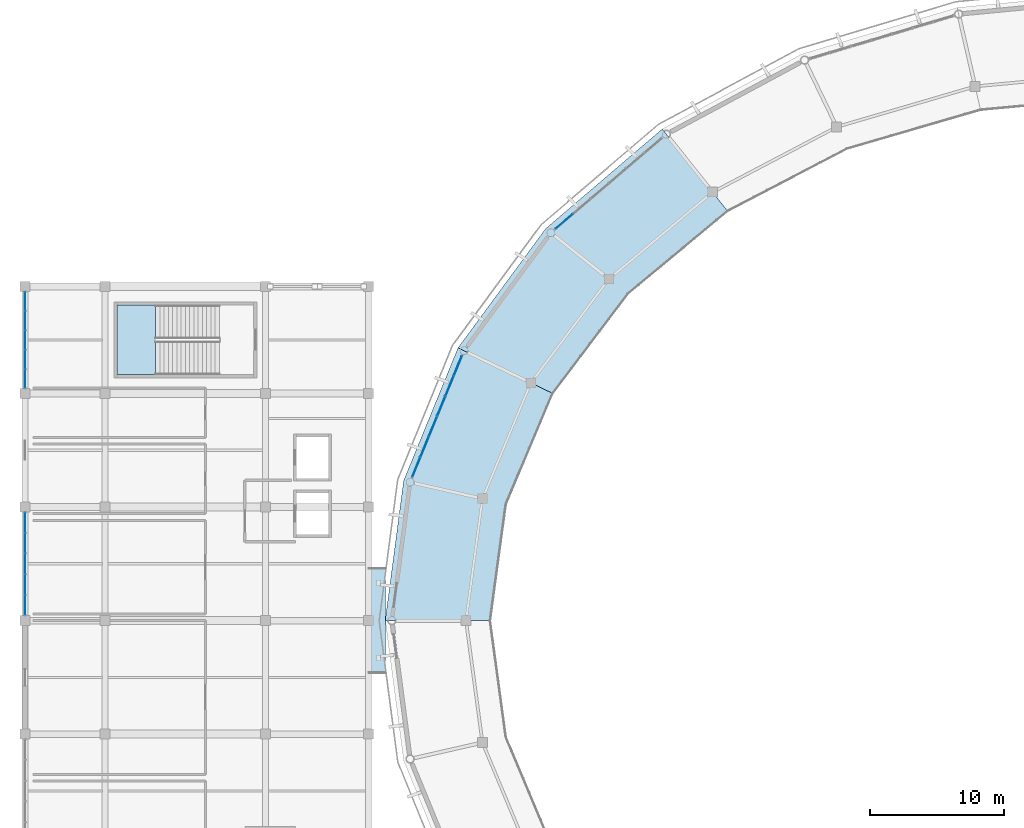
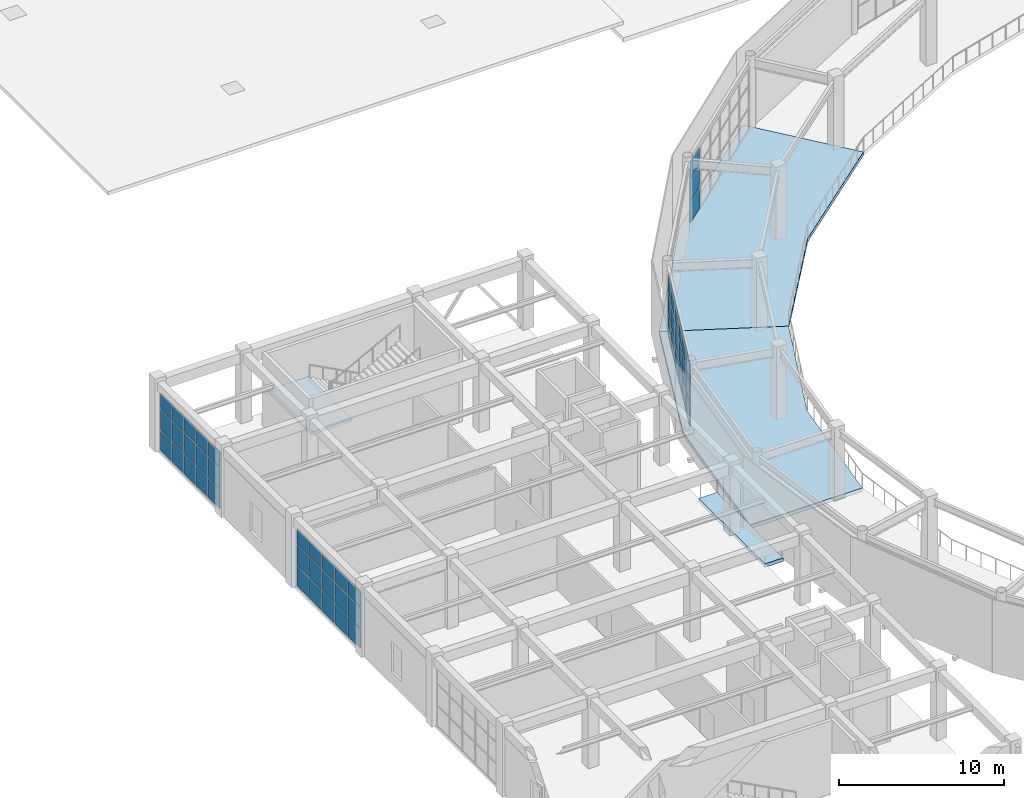
# One storey, part 43 of 70: 51 plates, 4 slabs, 5 elements without a shape of their own.
"""IFC4 building model written with IfcOpenShell, lengths in metres."""

import ifcopenshell
import ifcopenshell.guid

model = None  # the IFC model being written
_history = None  # IfcOwnerHistory: only IFC2X3 demands one
_inside = {}  # id of a spatial element -> (the spatial element, [elements in it])
_under = {}  # id of a project, library or spatial element -> (it, [spatial elements below it])
_declared = {}  # id of a project -> (the project, [libraries it declares])
_typed = {}  # id of a type object -> (the type object, [elements of that type])
_made_of = {}  # id of a material, layer set ... -> (it, [elements and type objects made of it])


def new_model(schema):
    """Start an empty IFC model of exactly this schema.

    Asked for "IFC4X3", IfcOpenShell would pick the latest addendum, in which some entities
    have other attributes; the version numbers below select the first issue.
    IFC2X3 requires an IfcOwnerHistory on every rooted entity: one is made here for all.
    """
    global model, _history
    if schema == "IFC4X3":
        model = ifcopenshell.file(schema_version=(4, 3, 0, 0))
    else:
        model = ifcopenshell.file(schema=schema)
    _inside.clear()
    _under.clear()
    _declared.clear()
    _typed.clear()
    _made_of.clear()
    _history = None
    if model.schema == "IFC2X3":
        org = make("IfcOrganization", Name="unknown")
        user = make(
            "IfcPersonAndOrganization",
            ThePerson=make("IfcPerson", FamilyName="unknown"),
            TheOrganization=org,
        )
        app = make(
            "IfcApplication",
            ApplicationDeveloper=org,
            Version="unknown",
            ApplicationFullName="unknown",
            ApplicationIdentifier="unknown",
        )
        _history = make(
            "IfcOwnerHistory",
            OwningUser=user,
            OwningApplication=app,
            ChangeAction="ADDED",
            CreationDate=0,
        )
    return model


def make(cls, **values):
    """One entity of the class cls with the attributes given. An attribute that is None is left unset."""
    return model.create_entity(
        cls, **{name: value for name, value in values.items() if value is not None}
    )


def rooted(cls, **values):
    """An entity with a GlobalId (a new one), such as an element, a storey or a relation."""
    return make(cls, GlobalId=ifcopenshell.guid.new(), OwnerHistory=_history, **values)


def si_unit(unit_type, name, prefix=None):
    """IfcSIUnit, for example si_unit("LENGTHUNIT", "METRE", prefix="MILLI")."""
    return make("IfcSIUnit", UnitType=unit_type, Prefix=prefix, Name=name)


def assignment(units):
    """IfcUnitAssignment: the units of a project."""
    return None if units is None else make("IfcUnitAssignment", Units=units)


def point(xyz):
    """IfcCartesianPoint."""
    return None if xyz is None else make("IfcCartesianPoint", Coordinates=xyz)


def direction(xyz):
    """IfcDirection."""
    return None if xyz is None else make("IfcDirection", DirectionRatios=xyz)


def frame(location, z_axis=None, x_axis=None):
    """IfcAxis2Placement3D, a coordinate frame: its origin and axes. An axis left out is left unset."""
    return make(
        "IfcAxis2Placement3D",
        Location=point(location),
        Axis=direction(z_axis),
        RefDirection=direction(x_axis),
    )


def frame_2d(location, x_axis=None):
    """IfcAxis2Placement2D, a coordinate frame in the plane: its origin and x axis."""
    return make(
        "IfcAxis2Placement2D", Location=point(location), RefDirection=direction(x_axis)
    )


def origin():
    """The frame at (0, 0, 0) with its axes left unset."""
    return frame((0.0, 0.0, 0.0))


def origin_2d():
    """The frame at (0, 0) in the plane with its x axis left unset."""
    return frame_2d((0.0, 0.0))


def place(relative_to, where):
    """IfcLocalPlacement: puts the frame where relative to a parent placement (None: the world)."""
    return make(
        "IfcLocalPlacement", PlacementRelTo=relative_to, RelativePlacement=where
    )


def context(
    kind, dimensions, precision=None, world=None, true_north=None, identifier=None
):
    """IfcGeometricRepresentationContext, for example the 3D "Model" context."""
    return make(
        "IfcGeometricRepresentationContext",
        ContextIdentifier=identifier,
        ContextType=kind,
        CoordinateSpaceDimension=dimensions,
        Precision=precision,
        WorldCoordinateSystem=world,
        TrueNorth=true_north,
    )


def subcontext(parent, identifier, kind, view, scale=None):
    """IfcGeometricRepresentationSubContext, for example "Body" below "Model"."""
    return make(
        "IfcGeometricRepresentationSubContext",
        ContextIdentifier=identifier,
        ContextType=kind,
        ParentContext=parent,
        TargetScale=scale,
        TargetView=view,
    )


def project(units=None, contexts=None):
    """IfcProject with its units and contexts."""
    return rooted(
        "IfcProject",
        Name="project",
        RepresentationContexts=contexts,
        UnitsInContext=assignment(units),
    )


def spatial(cls, under=None, at=None, **own):
    """A site, building, storey or space (cls), placed at a placement, below another one or the project."""
    s = rooted(cls, ObjectPlacement=at, **own)
    if under is not None:
        _under.setdefault(under.id(), (under, []))[1].append(s)
    return s


def polyline(points):
    """IfcPolyline through the points."""
    return make("IfcPolyline", Points=[point(p) for p in points])


def profile(cls, at=None, kind="AREA", **sizes):
    """A parametric profile (cls). Its sizes go by their IFC names, for example OverallWidth=200.0."""
    return make(cls, ProfileType=kind, Position=at, **sizes)


def rectangle(**sizes):
    """IfcRectangleProfileDef."""
    return profile("IfcRectangleProfileDef", **sizes)


def outline(outer, holes=None, kind="AREA"):
    """IfcArbitraryClosedProfileDef: a profile drawn as a closed curve; with holes, ...WithVoids."""
    if holes is None:
        return make("IfcArbitraryClosedProfileDef", ProfileType=kind, OuterCurve=outer)
    return make(
        "IfcArbitraryProfileDefWithVoids",
        ProfileType=kind,
        OuterCurve=outer,
        InnerCurves=holes,
    )


def extrude(swept, where, along, depth):
    """IfcExtrudedAreaSolid: the profile swept, set in the frame where, extruded along a direction by depth."""
    return make(
        "IfcExtrudedAreaSolid",
        SweptArea=swept,
        Position=where,
        ExtrudedDirection=direction(along),
        Depth=depth,
    )


def shape(context_of_items, identifier, shape_type, items):
    """IfcShapeRepresentation: the items that make up one representation, for example the "Body"."""
    return make(
        "IfcShapeRepresentation",
        ContextOfItems=context_of_items,
        RepresentationIdentifier=identifier,
        RepresentationType=shape_type,
        Items=items,
    )


def material(Name=None, Category=None):
    """IfcMaterial."""
    return make("IfcMaterial", Name=Name, Category=Category)


def layer(
    of_material, thickness, ventilated=None, Name=None, Category=None, Priority=None
):
    """IfcMaterialLayer: one layer of a wall or slab, of a material (None: an air gap)."""
    return make(
        "IfcMaterialLayer",
        Material=of_material,
        LayerThickness=thickness,
        IsVentilated=ventilated,
        Name=Name,
        Category=Category,
        Priority=Priority,
    )


def layer_set(layers, Name=None):
    """IfcMaterialLayerSet."""
    return make("IfcMaterialLayerSet", MaterialLayers=layers, LayerSetName=Name)


def made_of(thing, what):
    """Note that an element or type object is made of a material, layer set ...; save() writes the relation."""
    if what is not None:
        _made_of.setdefault(what.id(), (what, []))[1].append(thing)
    return thing


def type_object(cls, material=None, **own):
    """A type object (cls), such as IfcWallType, which elements share."""
    return made_of(rooted(cls, **own), material)


def element(
    cls,
    number,
    at=None,
    inside=None,
    cuts=None,
    type_object=None,
    material=None,
    context=None,
    identifier="Body",
    shape_type=None,
    held_by="IfcProductDefinitionShape",
    body=None,
    shapes=None,
    **own,
):
    """One element of the class cls, such as IfcWall. Its Tag is "e" and its number.

    at: its placement. inside: the storey or other place that contains it. cuts: it is an
    opening in that element (IfcRelVoidsElement). A single representation is given by context,
    identifier, shape_type and body (its items); several are given by shapes. held_by: the class
    of the entity that holds the representations. save() writes the other relations.
    """
    e = rooted(cls, Tag="e%d" % number, ObjectPlacement=at, **own)
    if body is not None:
        shapes = [shape(context, identifier, shape_type, body)]
    if shapes is not None:
        e.Representation = make(held_by, Representations=shapes)
    if inside is not None:
        _inside.setdefault(inside.id(), (inside, []))[1].append(e)
    if cuts is not None:
        rooted(
            "IfcRelVoidsElement", RelatingBuildingElement=cuts, RelatedOpeningElement=e
        )
    if type_object is not None:
        _typed.setdefault(type_object.id(), (type_object, []))[1].append(e)
    return made_of(e, material)


def aggregate(whole, parts):
    """IfcRelAggregates: a whole, such as a stair, and the parts it consists of."""
    return rooted("IfcRelAggregates", RelatingObject=whole, RelatedObjects=parts)


def save(model, path):
    """Write the relations noted so far, then the file.

    IfcRelAggregates (storeys below a building ...), IfcRelContainedInSpatialStructure (elements
    in a storey), IfcRelDefinesByType, IfcRelAssociatesMaterial and IfcRelDeclares: one each for
    every whole, place, type object, material and project.
    """
    for whole, parts in _under.values():
        aggregate(whole, parts)
    for where, things in _inside.values():
        rooted(
            "IfcRelContainedInSpatialStructure",
            RelatedElements=things,
            RelatingStructure=where,
        )
    for kind, things in _typed.values():
        rooted("IfcRelDefinesByType", RelatedObjects=things, RelatingType=kind)
    for what, things in _made_of.values():
        rooted("IfcRelAssociatesMaterial", RelatedObjects=things, RelatingMaterial=what)
    for by, libraries in _declared.values():
        rooted("IfcRelDeclares", RelatingContext=by, RelatedDefinitions=libraries)
    model.write(path)


model = new_model("IFC4")

# Units and contexts
model_context = context("Model", 3, precision=1e-05, world=origin(), true_north=direction((0.0, 1.0)))
body_context = subcontext(model_context, "Body", "Model", "MODEL_VIEW")
ifc_project = project(units=[si_unit("LENGTHUNIT", "METRE"), si_unit("AREAUNIT", "SQUARE_METRE"), si_unit("VOLUMEUNIT", "CUBIC_METRE"), si_unit("PLANEANGLEUNIT", "RADIAN"), si_unit("MASSUNIT", "GRAM", prefix="KILO")], contexts=[model_context])

# Site, building, storey
site_placement = place(None, origin())
site = spatial("IfcSite", under=ifc_project, at=site_placement, CompositionType="ELEMENT")
building_placement = place(site_placement, origin())
building = spatial("IfcBuilding", under=site, at=building_placement, Name="Cuetzalor Civic Arena", CompositionType="ELEMENT")
storey_placement = place(building_placement, frame((0.0, 0.0, 21.0)))
storey = spatial("IfcBuildingStorey", under=building, at=storey_placement, Name="L04", CompositionType="ELEMENT", Elevation=21.0)

# Curtain wall, plates
ifc_material_1 = material(Name="Anodised dark bronze aluminium and low-E solar glass", Category="aluminium")
curtain_wall_type_1 = type_object("IfcCurtainWallType", Name="UnitisedCW_10550x4650", PredefinedType="USERDEFINED", material=ifc_material_1)
curtain_wall_1_placement = place(storey_placement, origin())
curtain_wall_1 = element("IfcCurtainWall", 1, at=curtain_wall_1_placement, inside=storey, type_object=curtain_wall_type_1, Name="Drum Triangle Foyer Curtain Wall L04-061", ObjectType="UNITISED CURTAIN WALL", PredefinedType="USERDEFINED")
ifc_material_2 = material(Name="Acoustic laminated solar control glass", Category="glass")
ifc_layer_1 = layer(ifc_material_2, 0.0439453125)
ifc_layer_set_1 = layer_set([ifc_layer_1], Name="Acoustic laminated solar control glass")
plate_type = type_object("IfcPlateType", Name="AcousticTripleGlazedPanel_44", PredefinedType="CURTAIN_PANEL", material=ifc_layer_set_1)
plate_1_placement = place(storey_placement, frame((-41.654541015625, 29.871826171875, 0.06982421875), z_axis=(0.0, 0.0, 1.0), x_axis=(0.760677142663, 0.64913040649, 0.0)))
plate_1 = element("IfcPlate", 2, at=plate_1_placement, type_object=plate_type, Name="CW-10 panel 1.1", PredefinedType="CURTAIN_PANEL", context=body_context, shape_type="SweptSolid", body=[
    extrude(rectangle(XDim=1.650146484375, YDim=0.0439453125, at=origin_2d()), origin(), (0.0, 0.0, 1.0), 1.570068359375),
])
plate_2_placement = place(storey_placement, frame((-41.654541015625, 29.871826171875, 1.7099609375), z_axis=(0.0, 0.0, 1.0), x_axis=(0.760677142663, 0.64913040649, 0.0)))
plate_2 = element("IfcPlate", 3, at=plate_2_placement, type_object=plate_type, Name="CW-10 panel 1.2", PredefinedType="CURTAIN_PANEL", context=body_context, shape_type="SweptSolid", body=[
    extrude(rectangle(XDim=1.650146484375, YDim=0.0439453125, at=origin_2d()), origin(), (0.0, 0.0, 1.0), 1.60498046875),
])
plate_3_placement = place(storey_placement, frame((-41.654541015625, 29.871826171875, 3.384765625), z_axis=(0.0, 0.0, 1.0), x_axis=(0.760677142663, 0.64913040649, 0.0)))
plate_3 = element("IfcPlate", 4, at=plate_3_placement, type_object=plate_type, Name="CW-10 panel 1.3", PredefinedType="CURTAIN_PANEL", context=body_context, shape_type="SweptSolid", body=[
    extrude(rectangle(XDim=1.650146484375, YDim=0.0439453125, at=origin_2d()), origin(), (0.0, 0.0, 1.0), 1.197998046875),
])
aggregate(curtain_wall_1, [plate_1, plate_2, plate_3])

ifc_material_3 = material(Name="Anodised dark bronze aluminium and low-E solar glass", Category="aluminium")
curtain_wall_type_2 = type_object("IfcCurtainWallType", Name="UnitisedCW_9850x4650", PredefinedType="USERDEFINED", material=ifc_material_3)
curtain_wall_2_placement = place(storey_placement, origin())
curtain_wall_2 = element("IfcCurtainWall", 5, at=curtain_wall_2_placement, inside=storey, type_object=curtain_wall_type_2, Name="Drum Triangle Foyer Curtain Wall L04-062", ObjectType="UNITISED CURTAIN WALL", PredefinedType="USERDEFINED")
plate_4_placement = place(storey_placement, frame((-52.719482421875, 11.4873046875, 0.06982421875), z_axis=(0.0, 0.0, 1.0), x_axis=(0.379391428583, 0.925236263836, 0.0)))
plate_4 = element("IfcPlate", 6, at=plate_4_placement, type_object=plate_type, Name="CW-11 panel 1.1", PredefinedType="CURTAIN_PANEL", context=body_context, shape_type="SweptSolid", body=[
    extrude(rectangle(XDim=1.540771484375, YDim=0.0439453125, at=origin_2d()), origin(), (0.0, 0.0, 1.0), 1.570068359375),
])
plate_5_placement = place(storey_placement, frame((-52.719482421875, 11.4873046875, 1.7099609375), z_axis=(0.0, 0.0, 1.0), x_axis=(0.379391428583, 0.925236263836, 0.0)))
plate_5 = element("IfcPlate", 7, at=plate_5_placement, type_object=plate_type, Name="CW-11 panel 1.2", PredefinedType="CURTAIN_PANEL", context=body_context, shape_type="SweptSolid", body=[
    extrude(rectangle(XDim=1.540771484375, YDim=0.0439453125, at=origin_2d()), origin(), (0.0, 0.0, 1.0), 1.60498046875),
])
plate_6_placement = place(storey_placement, frame((-52.719482421875, 11.4873046875, 3.384765625), z_axis=(0.0, 0.0, 1.0), x_axis=(0.379391428583, 0.925236263836, 0.0)))
plate_6 = element("IfcPlate", 8, at=plate_6_placement, type_object=plate_type, Name="CW-11 panel 1.3", PredefinedType="CURTAIN_PANEL", context=body_context, shape_type="SweptSolid", body=[
    extrude(rectangle(XDim=1.540771484375, YDim=0.0439453125, at=origin_2d()), origin(), (0.0, 0.0, 1.0), 1.197998046875),
])
plate_7_placement = place(storey_placement, frame((-52.1015625, 12.993896484375, 0.06982421875), z_axis=(0.0, 0.0, 1.0), x_axis=(0.379391428583, 0.925236263836, 0.0)))
plate_7 = element("IfcPlate", 9, at=plate_7_placement, type_object=plate_type, Name="CW-11 panel 2.1", PredefinedType="CURTAIN_PANEL", context=body_context, shape_type="SweptSolid", body=[
    extrude(rectangle(XDim=1.57568359375, YDim=0.0439453125, at=origin_2d()), origin(), (0.0, 0.0, 1.0), 1.570068359375),
])
plate_8_placement = place(storey_placement, frame((-52.1015625, 12.993896484375, 1.7099609375), z_axis=(0.0, 0.0, 1.0), x_axis=(0.379391428583, 0.925236263836, 0.0)))
plate_8 = element("IfcPlate", 10, at=plate_8_placement, type_object=plate_type, Name="CW-11 panel 2.2", PredefinedType="CURTAIN_PANEL", context=body_context, shape_type="SweptSolid", body=[
    extrude(rectangle(XDim=1.57568359375, YDim=0.0439453125, at=origin_2d()), origin(), (0.0, 0.0, 1.0), 1.60498046875),
])
plate_9_placement = place(storey_placement, frame((-52.1015625, 12.993896484375, 3.384765625), z_axis=(0.0, 0.0, 1.0), x_axis=(0.379391428583, 0.925236263836, 0.0)))
plate_9 = element("IfcPlate", 11, at=plate_9_placement, type_object=plate_type, Name="CW-11 panel 2.3", PredefinedType="CURTAIN_PANEL", context=body_context, shape_type="SweptSolid", body=[
    extrude(rectangle(XDim=1.57568359375, YDim=0.0439453125, at=origin_2d()), origin(), (0.0, 0.0, 1.0), 1.197998046875),
])
plate_10_placement = place(storey_placement, frame((-51.477294921875, 14.516357421875, 0.06982421875), z_axis=(0.0, 0.0, 1.0), x_axis=(0.379391428583, 0.925236263836, 0.0)))
plate_10 = element("IfcPlate", 12, at=plate_10_placement, type_object=plate_type, Name="CW-11 panel 3.1", PredefinedType="CURTAIN_PANEL", context=body_context, shape_type="SweptSolid", body=[
    extrude(rectangle(XDim=1.57568359375, YDim=0.0439453125, at=origin_2d()), origin(), (0.0, 0.0, 1.0), 1.570068359375),
])
plate_11_placement = place(storey_placement, frame((-51.477294921875, 14.516357421875, 1.7099609375), z_axis=(0.0, 0.0, 1.0), x_axis=(0.379391428583, 0.925236263836, 0.0)))
plate_11 = element("IfcPlate", 13, at=plate_11_placement, type_object=plate_type, Name="CW-11 panel 3.2", PredefinedType="CURTAIN_PANEL", context=body_context, shape_type="SweptSolid", body=[
    extrude(rectangle(XDim=1.57568359375, YDim=0.0439453125, at=origin_2d()), origin(), (0.0, 0.0, 1.0), 1.60498046875),
])
plate_12_placement = place(storey_placement, frame((-51.477294921875, 14.516357421875, 3.384765625), z_axis=(0.0, 0.0, 1.0), x_axis=(0.379391428583, 0.925236263836, 0.0)))
plate_12 = element("IfcPlate", 14, at=plate_12_placement, type_object=plate_type, Name="CW-11 panel 3.3", PredefinedType="CURTAIN_PANEL", context=body_context, shape_type="SweptSolid", body=[
    extrude(rectangle(XDim=1.57568359375, YDim=0.0439453125, at=origin_2d()), origin(), (0.0, 0.0, 1.0), 1.197998046875),
])
plate_13_placement = place(storey_placement, frame((-50.85302734375, 16.0390625, 0.06982421875), z_axis=(0.0, 0.0, 1.0), x_axis=(0.379391428583, 0.925236263836, 0.0)))
plate_13 = element("IfcPlate", 15, at=plate_13_placement, type_object=plate_type, Name="CW-11 panel 4.1", PredefinedType="CURTAIN_PANEL", context=body_context, shape_type="SweptSolid", body=[
    extrude(rectangle(XDim=1.57568359375, YDim=0.0439453125, at=origin_2d()), origin(), (0.0, 0.0, 1.0), 1.570068359375),
])
plate_14_placement = place(storey_placement, frame((-50.85302734375, 16.0390625, 1.7099609375), z_axis=(0.0, 0.0, 1.0), x_axis=(0.379391428583, 0.925236263836, 0.0)))
plate_14 = element("IfcPlate", 16, at=plate_14_placement, type_object=plate_type, Name="CW-11 panel 4.2", PredefinedType="CURTAIN_PANEL", context=body_context, shape_type="SweptSolid", body=[
    extrude(rectangle(XDim=1.57568359375, YDim=0.0439453125, at=origin_2d()), origin(), (0.0, 0.0, 1.0), 1.60498046875),
])
plate_15_placement = place(storey_placement, frame((-50.85302734375, 16.0390625, 3.384765625), z_axis=(0.0, 0.0, 1.0), x_axis=(0.379391428583, 0.925236263836, 0.0)))
plate_15 = element("IfcPlate", 17, at=plate_15_placement, type_object=plate_type, Name="CW-11 panel 4.3", PredefinedType="CURTAIN_PANEL", context=body_context, shape_type="SweptSolid", body=[
    extrude(rectangle(XDim=1.57568359375, YDim=0.0439453125, at=origin_2d()), origin(), (0.0, 0.0, 1.0), 1.197998046875),
])
plate_16_placement = place(storey_placement, frame((-50.228515625, 17.561767578125, 0.06982421875), z_axis=(0.0, 0.0, 1.0), x_axis=(0.379391428583, 0.925236263836, 0.0)))
plate_16 = element("IfcPlate", 18, at=plate_16_placement, type_object=plate_type, Name="CW-11 panel 5.1", PredefinedType="CURTAIN_PANEL", context=body_context, shape_type="SweptSolid", body=[
    extrude(rectangle(XDim=1.57568359375, YDim=0.0439453125, at=origin_2d()), origin(), (0.0, 0.0, 1.0), 1.570068359375),
])
plate_17_placement = place(storey_placement, frame((-50.228515625, 17.561767578125, 1.7099609375), z_axis=(0.0, 0.0, 1.0), x_axis=(0.379391428583, 0.925236263836, 0.0)))
plate_17 = element("IfcPlate", 19, at=plate_17_placement, type_object=plate_type, Name="CW-11 panel 5.2", PredefinedType="CURTAIN_PANEL", context=body_context, shape_type="SweptSolid", body=[
    extrude(rectangle(XDim=1.57568359375, YDim=0.0439453125, at=origin_2d()), origin(), (0.0, 0.0, 1.0), 1.60498046875),
])
plate_18_placement = place(storey_placement, frame((-50.228515625, 17.561767578125, 3.384765625), z_axis=(0.0, 0.0, 1.0), x_axis=(0.379391428583, 0.925236263836, 0.0)))
plate_18 = element("IfcPlate", 20, at=plate_18_placement, type_object=plate_type, Name="CW-11 panel 5.3", PredefinedType="CURTAIN_PANEL", context=body_context, shape_type="SweptSolid", body=[
    extrude(rectangle(XDim=1.57568359375, YDim=0.0439453125, at=origin_2d()), origin(), (0.0, 0.0, 1.0), 1.197998046875),
])
plate_19_placement = place(storey_placement, frame((-49.61083984375, 19.068359375, 0.06982421875), z_axis=(0.0, 0.0, 1.0), x_axis=(0.379391428583, 0.925236263836, 0.0)))
plate_19 = element("IfcPlate", 21, at=plate_19_placement, type_object=plate_type, Name="CW-11 panel 6.1", PredefinedType="CURTAIN_PANEL", context=body_context, shape_type="SweptSolid", body=[
    extrude(rectangle(XDim=1.540771484375, YDim=0.0439453125, at=origin_2d()), origin(), (0.0, 0.0, 1.0), 1.570068359375),
])
plate_20_placement = place(storey_placement, frame((-49.61083984375, 19.068359375, 1.7099609375), z_axis=(0.0, 0.0, 1.0), x_axis=(0.379391428583, 0.925236263836, 0.0)))
plate_20 = element("IfcPlate", 22, at=plate_20_placement, type_object=plate_type, Name="CW-11 panel 6.2", PredefinedType="CURTAIN_PANEL", context=body_context, shape_type="SweptSolid", body=[
    extrude(rectangle(XDim=1.540771484375, YDim=0.0439453125, at=origin_2d()), origin(), (0.0, 0.0, 1.0), 1.60498046875),
])
plate_21_placement = place(storey_placement, frame((-49.61083984375, 19.068359375, 3.384765625), z_axis=(0.0, 0.0, 1.0), x_axis=(0.379391428583, 0.925236263836, 0.0)))
plate_21 = element("IfcPlate", 23, at=plate_21_placement, type_object=plate_type, Name="CW-11 panel 6.3", PredefinedType="CURTAIN_PANEL", context=body_context, shape_type="SweptSolid", body=[
    extrude(rectangle(XDim=1.540771484375, YDim=0.0439453125, at=origin_2d()), origin(), (0.0, 0.0, 1.0), 1.197998046875),
])
aggregate(curtain_wall_2, [plate_4, plate_5, plate_6, plate_7, plate_8, plate_9, plate_10, plate_11, plate_12, plate_13, plate_14, plate_15, plate_16, plate_17, plate_18, plate_19, plate_20, plate_21])

ifc_material_4 = material(Name="Anodised dark bronze aluminium and low-E solar glass", Category="aluminium")
curtain_wall_type_3 = type_object("IfcCurtainWallType", Name="UnitisedCW_7800x4350", PredefinedType="USERDEFINED", material=ifc_material_4)
curtain_wall_3_placement = place(storey_placement, origin())
curtain_wall_3 = element("IfcCurtainWall", 24, at=curtain_wall_3_placement, inside=storey, type_object=curtain_wall_type_3, Name="V4W Suite Viewing Curtain Wall L04-125", ObjectType="UNITISED CURTAIN WALL", PredefinedType="USERDEFINED")
plate_22_placement = place(storey_placement, frame((-82.0, 1.15185546875, 0.06494140625), z_axis=(0.0, 0.0, 1.0), x_axis=(0.0, 1.0, 0.0)))
plate_22 = element("IfcPlate", 25, at=plate_22_placement, type_object=plate_type, Name="CW-47 panel 1.1", PredefinedType="CURTAIN_PANEL", context=body_context, shape_type="SweptSolid", body=[
    extrude(rectangle(XDim=1.459716796875, YDim=0.0439453125, at=origin_2d()), origin(), (0.0, 0.0, 1.0), 1.472412109375),
])
plate_23_placement = place(storey_placement, frame((-82.0, 1.15185546875, 1.6025390625), z_axis=(0.0, 0.0, 1.0), x_axis=(0.0, 1.0, 0.0)))
plate_23 = element("IfcPlate", 26, at=plate_23_placement, type_object=plate_type, Name="CW-47 panel 1.2", PredefinedType="CURTAIN_PANEL", context=body_context, shape_type="SweptSolid", body=[
    extrude(rectangle(XDim=1.459716796875, YDim=0.0439453125, at=origin_2d()), origin(), (0.0, 0.0, 1.0), 1.50390625),
])
plate_24_placement = place(storey_placement, frame((-82.0, 1.15185546875, 3.17138671875), z_axis=(0.0, 0.0, 1.0), x_axis=(0.0, 1.0, 0.0)))
plate_24 = element("IfcPlate", 27, at=plate_24_placement, type_object=plate_type, Name="CW-47 panel 1.3", PredefinedType="CURTAIN_PANEL", context=body_context, shape_type="SweptSolid", body=[
    extrude(rectangle(XDim=1.459716796875, YDim=0.0439453125, at=origin_2d()), origin(), (0.0, 0.0, 1.0), 1.12353515625),
])
plate_25_placement = place(storey_placement, frame((-82.0, 2.69287109375, 0.06494140625), z_axis=(0.0, 0.0, 1.0), x_axis=(0.0, 1.0, 0.0)))
plate_25 = element("IfcPlate", 28, at=plate_25_placement, type_object=plate_type, Name="CW-47 panel 2.1", PredefinedType="CURTAIN_PANEL", context=body_context, shape_type="SweptSolid", body=[
    extrude(rectangle(XDim=1.4921875, YDim=0.0439453125, at=origin_2d()), origin(), (0.0, 0.0, 1.0), 1.472412109375),
])
plate_26_placement = place(storey_placement, frame((-82.0, 2.69287109375, 1.6025390625), z_axis=(0.0, 0.0, 1.0), x_axis=(0.0, 1.0, 0.0)))
plate_26 = element("IfcPlate", 29, at=plate_26_placement, type_object=plate_type, Name="CW-47 panel 2.2", PredefinedType="CURTAIN_PANEL", context=body_context, shape_type="SweptSolid", body=[
    extrude(rectangle(XDim=1.4921875, YDim=0.0439453125, at=origin_2d()), origin(), (0.0, 0.0, 1.0), 1.50390625),
])
plate_27_placement = place(storey_placement, frame((-82.0, 2.69287109375, 3.17138671875), z_axis=(0.0, 0.0, 1.0), x_axis=(0.0, 1.0, 0.0)))
plate_27 = element("IfcPlate", 30, at=plate_27_placement, type_object=plate_type, Name="CW-47 panel 2.3", PredefinedType="CURTAIN_PANEL", context=body_context, shape_type="SweptSolid", body=[
    extrude(rectangle(XDim=1.4921875, YDim=0.0439453125, at=origin_2d()), origin(), (0.0, 0.0, 1.0), 1.12353515625),
])
plate_28_placement = place(storey_placement, frame((-82.0, 4.25, 0.06494140625), z_axis=(0.0, 0.0, 1.0), x_axis=(0.0, 1.0, 0.0)))
plate_28 = element("IfcPlate", 31, at=plate_28_placement, type_object=plate_type, Name="CW-47 panel 3.1", PredefinedType="CURTAIN_PANEL", context=body_context, shape_type="SweptSolid", body=[
    extrude(rectangle(XDim=1.4921875, YDim=0.0439453125, at=origin_2d()), origin(), (0.0, 0.0, 1.0), 1.472412109375),
])
plate_29_placement = place(storey_placement, frame((-82.0, 4.25, 1.6025390625), z_axis=(0.0, 0.0, 1.0), x_axis=(0.0, 1.0, 0.0)))
plate_29 = element("IfcPlate", 32, at=plate_29_placement, type_object=plate_type, Name="CW-47 panel 3.2", PredefinedType="CURTAIN_PANEL", context=body_context, shape_type="SweptSolid", body=[
    extrude(rectangle(XDim=1.4921875, YDim=0.0439453125, at=origin_2d()), origin(), (0.0, 0.0, 1.0), 1.50390625),
])
plate_30_placement = place(storey_placement, frame((-82.0, 4.25, 3.17138671875), z_axis=(0.0, 0.0, 1.0), x_axis=(0.0, 1.0, 0.0)))
plate_30 = element("IfcPlate", 33, at=plate_30_placement, type_object=plate_type, Name="CW-47 panel 3.3", PredefinedType="CURTAIN_PANEL", context=body_context, shape_type="SweptSolid", body=[
    extrude(rectangle(XDim=1.4921875, YDim=0.0439453125, at=origin_2d()), origin(), (0.0, 0.0, 1.0), 1.12353515625),
])
plate_31_placement = place(storey_placement, frame((-82.0, 5.80712890625, 0.06494140625), z_axis=(0.0, 0.0, 1.0), x_axis=(0.0, 1.0, 0.0)))
plate_31 = element("IfcPlate", 34, at=plate_31_placement, type_object=plate_type, Name="CW-47 panel 4.1", PredefinedType="CURTAIN_PANEL", context=body_context, shape_type="SweptSolid", body=[
    extrude(rectangle(XDim=1.4921875, YDim=0.0439453125, at=origin_2d()), origin(), (0.0, 0.0, 1.0), 1.472412109375),
])
plate_32_placement = place(storey_placement, frame((-82.0, 5.80712890625, 1.6025390625), z_axis=(0.0, 0.0, 1.0), x_axis=(0.0, 1.0, 0.0)))
plate_32 = element("IfcPlate", 35, at=plate_32_placement, type_object=plate_type, Name="CW-47 panel 4.2", PredefinedType="CURTAIN_PANEL", context=body_context, shape_type="SweptSolid", body=[
    extrude(rectangle(XDim=1.4921875, YDim=0.0439453125, at=origin_2d()), origin(), (0.0, 0.0, 1.0), 1.50390625),
])
plate_33_placement = place(storey_placement, frame((-82.0, 5.80712890625, 3.17138671875), z_axis=(0.0, 0.0, 1.0), x_axis=(0.0, 1.0, 0.0)))
plate_33 = element("IfcPlate", 36, at=plate_33_placement, type_object=plate_type, Name="CW-47 panel 4.3", PredefinedType="CURTAIN_PANEL", context=body_context, shape_type="SweptSolid", body=[
    extrude(rectangle(XDim=1.4921875, YDim=0.0439453125, at=origin_2d()), origin(), (0.0, 0.0, 1.0), 1.12353515625),
])
plate_34_placement = place(storey_placement, frame((-82.0, 7.34814453125, 0.06494140625), z_axis=(0.0, 0.0, 1.0), x_axis=(0.0, 1.0, 0.0)))
plate_34 = element("IfcPlate", 37, at=plate_34_placement, type_object=plate_type, Name="CW-47 panel 5.1", PredefinedType="CURTAIN_PANEL", context=body_context, shape_type="SweptSolid", body=[
    extrude(rectangle(XDim=1.459716796875, YDim=0.0439453125, at=origin_2d()), origin(), (0.0, 0.0, 1.0), 1.472412109375),
])
plate_35_placement = place(storey_placement, frame((-82.0, 7.34814453125, 1.6025390625), z_axis=(0.0, 0.0, 1.0), x_axis=(0.0, 1.0, 0.0)))
plate_35 = element("IfcPlate", 38, at=plate_35_placement, type_object=plate_type, Name="CW-47 panel 5.2", PredefinedType="CURTAIN_PANEL", context=body_context, shape_type="SweptSolid", body=[
    extrude(rectangle(XDim=1.459716796875, YDim=0.0439453125, at=origin_2d()), origin(), (0.0, 0.0, 1.0), 1.50390625),
])
plate_36_placement = place(storey_placement, frame((-82.0, 7.34814453125, 3.17138671875), z_axis=(0.0, 0.0, 1.0), x_axis=(0.0, 1.0, 0.0)))
plate_36 = element("IfcPlate", 39, at=plate_36_placement, type_object=plate_type, Name="CW-47 panel 5.3", PredefinedType="CURTAIN_PANEL", context=body_context, shape_type="SweptSolid", body=[
    extrude(rectangle(XDim=1.459716796875, YDim=0.0439453125, at=origin_2d()), origin(), (0.0, 0.0, 1.0), 1.12353515625),
])
aggregate(curtain_wall_3, [plate_22, plate_23, plate_24, plate_25, plate_26, plate_27, plate_28, plate_29, plate_30, plate_31, plate_32, plate_33, plate_34, plate_35, plate_36])

ifc_material_5 = material(Name="Anodised dark bronze aluminium and low-E solar glass", Category="aluminium")
curtain_wall_type_4 = type_object("IfcCurtainWallType", Name="UnitisedCW_7300x4350", PredefinedType="USERDEFINED", material=ifc_material_5)
curtain_wall_4_placement = place(storey_placement, origin())
curtain_wall_4 = element("IfcCurtainWall", 40, at=curtain_wall_4_placement, inside=storey, type_object=curtain_wall_type_4, Name="V4W Suite Viewing Curtain Wall L04-126", ObjectType="UNITISED CURTAIN WALL", PredefinedType="USERDEFINED")
plate_37_placement = place(storey_placement, frame((-82.0, 18.101806640625, 0.06494140625), z_axis=(0.0, 0.0, 1.0), x_axis=(0.0, 1.0, 0.0)))
plate_37 = element("IfcPlate", 41, at=plate_37_placement, type_object=plate_type, Name="CW-48 panel 1.1", PredefinedType="CURTAIN_PANEL", context=body_context, shape_type="SweptSolid", body=[
    extrude(rectangle(XDim=1.359619140625, YDim=0.0439453125, at=origin_2d()), origin(), (0.0, 0.0, 1.0), 1.472412109375),
])
plate_38_placement = place(storey_placement, frame((-82.0, 18.101806640625, 1.6025390625), z_axis=(0.0, 0.0, 1.0), x_axis=(0.0, 1.0, 0.0)))
plate_38 = element("IfcPlate", 42, at=plate_38_placement, type_object=plate_type, Name="CW-48 panel 1.2", PredefinedType="CURTAIN_PANEL", context=body_context, shape_type="SweptSolid", body=[
    extrude(rectangle(XDim=1.359619140625, YDim=0.0439453125, at=origin_2d()), origin(), (0.0, 0.0, 1.0), 1.50390625),
])
plate_39_placement = place(storey_placement, frame((-82.0, 18.101806640625, 3.17138671875), z_axis=(0.0, 0.0, 1.0), x_axis=(0.0, 1.0, 0.0)))
plate_39 = element("IfcPlate", 43, at=plate_39_placement, type_object=plate_type, Name="CW-48 panel 1.3", PredefinedType="CURTAIN_PANEL", context=body_context, shape_type="SweptSolid", body=[
    extrude(rectangle(XDim=1.359619140625, YDim=0.0439453125, at=origin_2d()), origin(), (0.0, 0.0, 1.0), 1.12353515625),
])
plate_40_placement = place(storey_placement, frame((-82.0, 19.542724609375, 0.06494140625), z_axis=(0.0, 0.0, 1.0), x_axis=(0.0, 1.0, 0.0)))
plate_40 = element("IfcPlate", 44, at=plate_40_placement, type_object=plate_type, Name="CW-48 panel 2.1", PredefinedType="CURTAIN_PANEL", context=body_context, shape_type="SweptSolid", body=[
    extrude(rectangle(XDim=1.39208984375, YDim=0.0439453125, at=origin_2d()), origin(), (0.0, 0.0, 1.0), 1.472412109375),
])
plate_41_placement = place(storey_placement, frame((-82.0, 19.542724609375, 1.6025390625), z_axis=(0.0, 0.0, 1.0), x_axis=(0.0, 1.0, 0.0)))
plate_41 = element("IfcPlate", 45, at=plate_41_placement, type_object=plate_type, Name="CW-48 panel 2.2", PredefinedType="CURTAIN_PANEL", context=body_context, shape_type="SweptSolid", body=[
    extrude(rectangle(XDim=1.39208984375, YDim=0.0439453125, at=origin_2d()), origin(), (0.0, 0.0, 1.0), 1.50390625),
])
plate_42_placement = place(storey_placement, frame((-82.0, 19.542724609375, 3.17138671875), z_axis=(0.0, 0.0, 1.0), x_axis=(0.0, 1.0, 0.0)))
plate_42 = element("IfcPlate", 46, at=plate_42_placement, type_object=plate_type, Name="CW-48 panel 2.3", PredefinedType="CURTAIN_PANEL", context=body_context, shape_type="SweptSolid", body=[
    extrude(rectangle(XDim=1.39208984375, YDim=0.0439453125, at=origin_2d()), origin(), (0.0, 0.0, 1.0), 1.12353515625),
])
plate_43_placement = place(storey_placement, frame((-82.0, 21.0, 0.06494140625), z_axis=(0.0, 0.0, 1.0), x_axis=(0.0, 1.0, 0.0)))
plate_43 = element("IfcPlate", 47, at=plate_43_placement, type_object=plate_type, Name="CW-48 panel 3.1", PredefinedType="CURTAIN_PANEL", context=body_context, shape_type="SweptSolid", body=[
    extrude(rectangle(XDim=1.39208984375, YDim=0.0439453125, at=origin_2d()), origin(), (0.0, 0.0, 1.0), 1.472412109375),
])
plate_44_placement = place(storey_placement, frame((-82.0, 21.0, 1.6025390625), z_axis=(0.0, 0.0, 1.0), x_axis=(0.0, 1.0, 0.0)))
plate_44 = element("IfcPlate", 48, at=plate_44_placement, type_object=plate_type, Name="CW-48 panel 3.2", PredefinedType="CURTAIN_PANEL", context=body_context, shape_type="SweptSolid", body=[
    extrude(rectangle(XDim=1.39208984375, YDim=0.0439453125, at=origin_2d()), origin(), (0.0, 0.0, 1.0), 1.50390625),
])
plate_45_placement = place(storey_placement, frame((-82.0, 21.0, 3.17138671875), z_axis=(0.0, 0.0, 1.0), x_axis=(0.0, 1.0, 0.0)))
plate_45 = element("IfcPlate", 49, at=plate_45_placement, type_object=plate_type, Name="CW-48 panel 3.3", PredefinedType="CURTAIN_PANEL", context=body_context, shape_type="SweptSolid", body=[
    extrude(rectangle(XDim=1.39208984375, YDim=0.0439453125, at=origin_2d()), origin(), (0.0, 0.0, 1.0), 1.12353515625),
])
plate_46_placement = place(storey_placement, frame((-82.0, 22.457275390625, 0.06494140625), z_axis=(0.0, 0.0, 1.0), x_axis=(0.0, 1.0, 0.0)))
plate_46 = element("IfcPlate", 50, at=plate_46_placement, type_object=plate_type, Name="CW-48 panel 4.1", PredefinedType="CURTAIN_PANEL", context=body_context, shape_type="SweptSolid", body=[
    extrude(rectangle(XDim=1.39208984375, YDim=0.0439453125, at=origin_2d()), origin(), (0.0, 0.0, 1.0), 1.472412109375),
])
plate_47_placement = place(storey_placement, frame((-82.0, 22.457275390625, 1.6025390625), z_axis=(0.0, 0.0, 1.0), x_axis=(0.0, 1.0, 0.0)))
plate_47 = element("IfcPlate", 51, at=plate_47_placement, type_object=plate_type, Name="CW-48 panel 4.2", PredefinedType="CURTAIN_PANEL", context=body_context, shape_type="SweptSolid", body=[
    extrude(rectangle(XDim=1.39208984375, YDim=0.0439453125, at=origin_2d()), origin(), (0.0, 0.0, 1.0), 1.50390625),
])
plate_48_placement = place(storey_placement, frame((-82.0, 22.457275390625, 3.17138671875), z_axis=(0.0, 0.0, 1.0), x_axis=(0.0, 1.0, 0.0)))
plate_48 = element("IfcPlate", 52, at=plate_48_placement, type_object=plate_type, Name="CW-48 panel 4.3", PredefinedType="CURTAIN_PANEL", context=body_context, shape_type="SweptSolid", body=[
    extrude(rectangle(XDim=1.39208984375, YDim=0.0439453125, at=origin_2d()), origin(), (0.0, 0.0, 1.0), 1.12353515625),
])
plate_49_placement = place(storey_placement, frame((-82.0, 23.898193359375, 0.06494140625), z_axis=(0.0, 0.0, 1.0), x_axis=(0.0, 1.0, 0.0)))
plate_49 = element("IfcPlate", 53, at=plate_49_placement, type_object=plate_type, Name="CW-48 panel 5.1", PredefinedType="CURTAIN_PANEL", context=body_context, shape_type="SweptSolid", body=[
    extrude(rectangle(XDim=1.359619140625, YDim=0.0439453125, at=origin_2d()), origin(), (0.0, 0.0, 1.0), 1.472412109375),
])
plate_50_placement = place(storey_placement, frame((-82.0, 23.898193359375, 1.6025390625), z_axis=(0.0, 0.0, 1.0), x_axis=(0.0, 1.0, 0.0)))
plate_50 = element("IfcPlate", 54, at=plate_50_placement, type_object=plate_type, Name="CW-48 panel 5.2", PredefinedType="CURTAIN_PANEL", context=body_context, shape_type="SweptSolid", body=[
    extrude(rectangle(XDim=1.359619140625, YDim=0.0439453125, at=origin_2d()), origin(), (0.0, 0.0, 1.0), 1.50390625),
])
plate_51_placement = place(storey_placement, frame((-82.0, 23.898193359375, 3.17138671875), z_axis=(0.0, 0.0, 1.0), x_axis=(0.0, 1.0, 0.0)))
plate_51 = element("IfcPlate", 55, at=plate_51_placement, type_object=plate_type, Name="CW-48 panel 5.3", PredefinedType="CURTAIN_PANEL", context=body_context, shape_type="SweptSolid", body=[
    extrude(rectangle(XDim=1.359619140625, YDim=0.0439453125, at=origin_2d()), origin(), (0.0, 0.0, 1.0), 1.12353515625),
])
aggregate(curtain_wall_4, [plate_37, plate_38, plate_39, plate_40, plate_41, plate_42, plate_43, plate_44, plate_45, plate_46, plate_47, plate_48, plate_49, plate_50, plate_51])

# Slab
ifc_material_6 = material(Name="Concrete C40/50", Category="concrete")
ifc_layer_2 = layer(ifc_material_6, 0.260009765625)
ifc_layer_set_2 = layer_set([ifc_layer_2], Name="Concrete C40/50")
slab_type_1 = type_object("IfcSlabType", Name="BridgeDeckSlab_260", PredefinedType="FLOOR", material=ifc_layer_set_2)
slab_1_placement = place(storey_placement, frame((0.0, 0.0, -0.260009765625)))
element("IfcSlab", 56, at=slab_1_placement, inside=storey, type_object=slab_type_1, Name="Seismic Joint Circulation Bridge V4W L04", PredefinedType="FLOOR", context=body_context, shape_type="SweptSolid", body=[
    extrude(outline(polyline([(-56.320068359375, -4.0), (-55.030029296875, -4.0), (-55.030029296875, 4.0), (-56.320068359375, 4.0), (-56.320068359375, -4.0)])), origin(), (0.0, 0.0, 1.0), 0.260009765625),
])

# Stair, slab
ifc_material_7 = material(Name="Precast concrete C40/50", Category="concrete")
stair_type = type_object("IfcStairType", Name="EnclosedExitStair_H540", PredefinedType="HALF_TURN_STAIR", material=ifc_material_7)
stair_placement = place(storey_placement, origin())
stair = element("IfcStair", 57, at=stair_placement, inside=storey, type_object=stair_type, Name="L04 Enclosed Exit Stair ST-17", PredefinedType="HALF_TURN_STAIR")
ifc_material_8 = material(Name="Concrete C40/50", Category="concrete")
ifc_layer_3 = layer(ifc_material_8, 0.199951171875)
ifc_layer_set_3 = layer_set([ifc_layer_3], Name="Concrete C40/50")
slab_type_2 = type_object("IfcSlabType", Name="StairHalfLandingSlab_200", PredefinedType="LANDING", material=ifc_layer_set_3)
slab_2_placement = place(storey_placement, frame((0.0, 0.0, 2.5)))
slab_2 = element("IfcSlab", 58, at=slab_2_placement, type_object=slab_type_2, Name="ST-17 landing 1", PredefinedType="LANDING", context=body_context, shape_type="SweptSolid", body=[
    extrude(outline(polyline([(-72.219970703125, 23.60009765625), (-75.10009765625, 23.60009765625), (-75.10009765625, 18.39990234375), (-72.219970703125, 18.39990234375), (-72.219970703125, 23.60009765625)])), origin(), (0.0, 0.0, 1.0), 0.199951171875),
])
aggregate(stair, [slab_2])

# Slabs
ifc_material_9 = material(Name="Concrete C35/45", Category="concrete")
ifc_layer_4 = layer(ifc_material_9, 0.280029296875)
ifc_layer_set_4 = layer_set([ifc_layer_4], Name="Concrete C35/45")
slab_type_3 = type_object("IfcSlabType", Name="SuspendedFloorSlab_280", PredefinedType="FLOOR", material=ifc_layer_set_4)
slab_3_placement = place(storey_placement, frame((0.0, 0.0, -0.280029296875)))
element("IfcSlab", 59, at=slab_3_placement, inside=storey, type_object=slab_type_3, Name="Arena Concourse Sector Slab L04-06", PredefinedType="FLOOR", context=body_context, shape_type="SweptSolid", body=[
    extrude(outline(polyline([(-29.4287109375, 30.647705078125), (-36.90234375, 24.44091796875), (-42.525634765625, 17.00830078125), (-49.598388671875, 20.414306640625), (-43.039794921875, 29.335205078125), (-34.322998046875, 36.78515625), (-29.4287109375, 30.647705078125)])), origin(), (0.0, 0.0, 1.0), 0.280029296875),
])
slab_4_placement = place(storey_placement, frame((0.0, 0.0, -0.280029296875)))
element("IfcSlab", 60, at=slab_4_placement, inside=storey, type_object=slab_type_3, Name="Arena Concourse Sector Slab L04-07", PredefinedType="FLOOR", context=body_context, shape_type="SweptSolid", body=[
    extrude(outline(polyline([(-42.525634765625, 17.00830078125), (-46.0166015625, 8.722900390625), (-47.199951171875, 0.0), (-55.050048828125, 0.0), (-53.669921875, 10.469482421875), (-49.598388671875, 20.414306640625), (-42.525634765625, 17.00830078125)])), origin(), (0.0, 0.0, 1.0), 0.280029296875),
])

save(model, "model.ifc")
